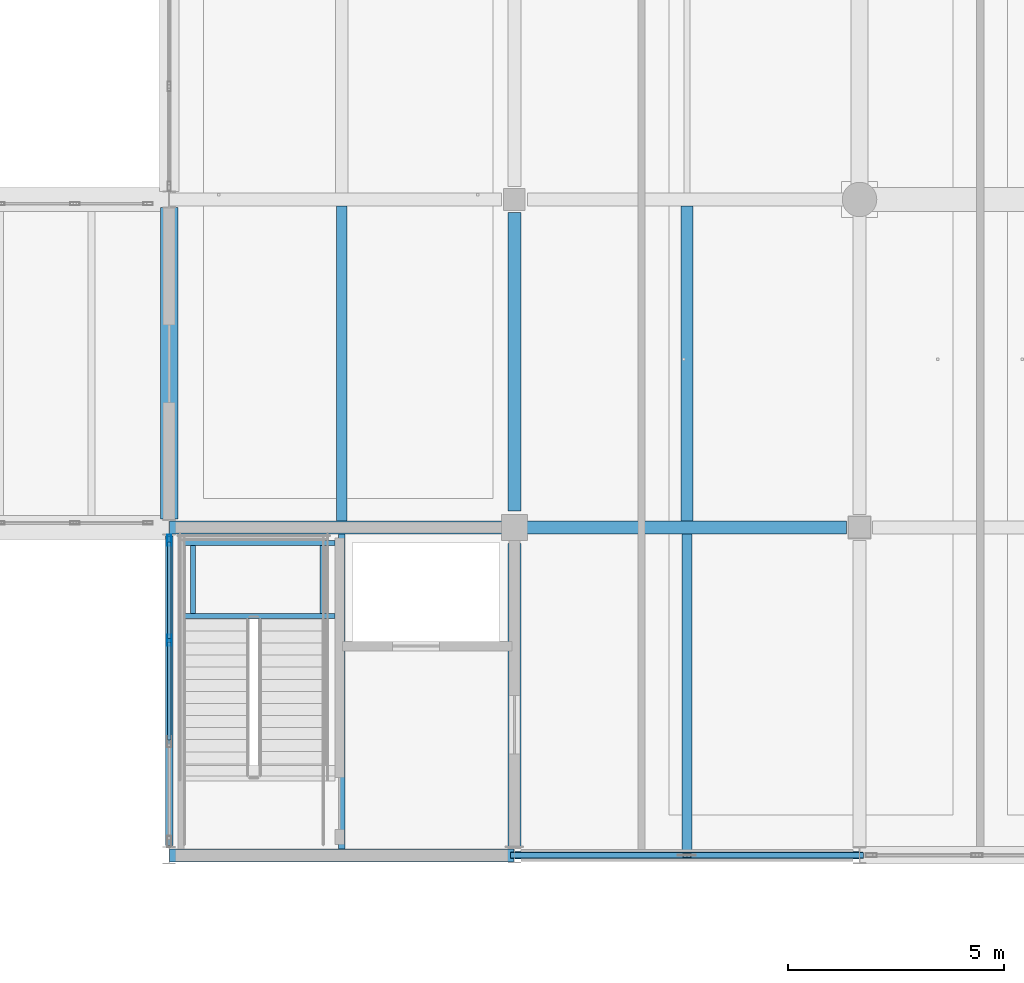
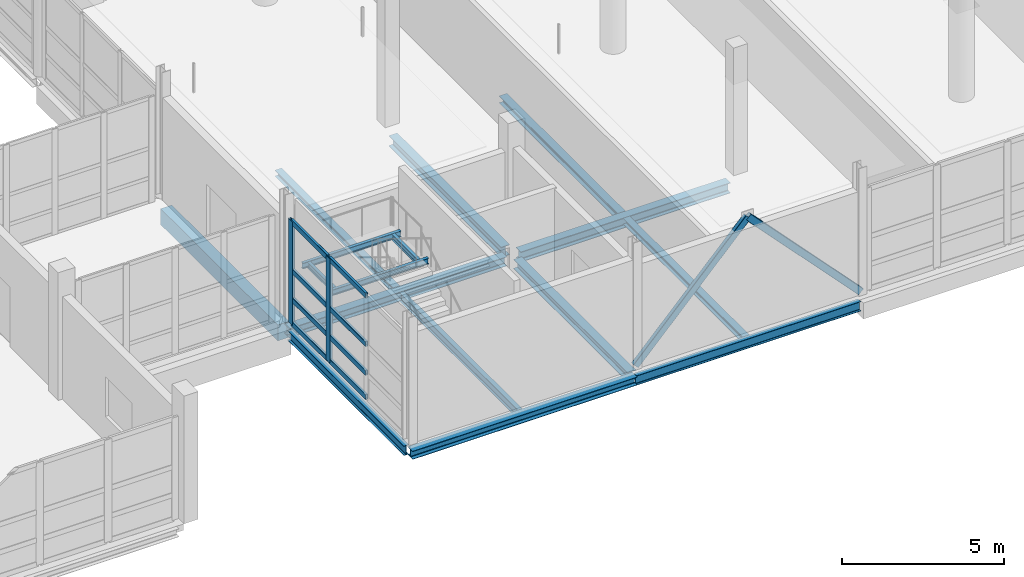
# One storey, part 40 of 147: 16 beams, 12 members, 1 element without a shape of its own.
"""IFC4 building model written with IfcOpenShell, lengths in metres."""

from ifc_helpers import new_model, si_unit, direction, frame, origin, origin_2d, place, context, subcontext, project, spatial, rectangle, hollow_rectangle, i_section, extrude, material, material_profile, profile_set, type_object, element, aggregate, save


model = new_model("IFC4")

# Units and contexts
model_context = context("Model", 3, precision=1e-05, world=origin(), true_north=direction((0.0, 1.0)))
body_context = subcontext(model_context, "Body", "Model", "MODEL_VIEW")
ifc_project = project(units=[si_unit("LENGTHUNIT", "METRE"), si_unit("AREAUNIT", "SQUARE_METRE"), si_unit("VOLUMEUNIT", "CUBIC_METRE"), si_unit("PLANEANGLEUNIT", "RADIAN"), si_unit("MASSUNIT", "GRAM", prefix="KILO")], contexts=[model_context])

# Site, building, storey
site_placement = place(None, origin())
site = spatial("IfcSite", under=ifc_project, at=site_placement, CompositionType="ELEMENT")
building_placement = place(site_placement, origin())
building = spatial("IfcBuilding", under=site, at=building_placement, Name="Khelvaren Railside Concert Hall", CompositionType="ELEMENT")
storey_placement = place(building_placement, frame((0.0, 0.0, 5.39990234375)))
storey = spatial("IfcBuildingStorey", under=building, at=storey_placement, Name="L01", CompositionType="ELEMENT", Elevation=5.39990234375)

# Beams
ifc_material_1 = material(Name="Steel S355", Category="steel")
ifc_material_profile_1 = material_profile(ifc_material_1, i_section(OverallWidth=0.300048828125, OverallDepth=0.389892578125, WebThickness=0.010986328125, FlangeThickness=0.01904296875, FilletRadius=0.027099609375, at=origin_2d()), Name="HEA 400")
ifc_profile_set_1 = profile_set([ifc_material_profile_1], Name="Steel S355")
beam_type_1 = type_object("IfcBeamType", Name="BM23", PredefinedType="BEAM", material=ifc_profile_set_1)
beam_1_placement = place(storey_placement, frame((152.25, 7.60009765625, -0.494873046875), z_axis=(1.0, 0.0, 0.0), x_axis=(0.0, 1.0, 0.0)))
element("IfcBeam", 1, at=beam_1_placement, inside=storey, type_object=beam_type_1, Name="V2 L01 Beam X2.2", PredefinedType="BEAM", context=body_context, shape_type="SweptSolid", body=[
    extrude(i_section(OverallWidth=0.300048828125, OverallDepth=0.389892578125, WebThickness=0.010986328125, FlangeThickness=0.01904296875, FilletRadius=0.027099609375, at=origin_2d()), origin(), (0.0, 0.0, 1.0), 7.449951171875),
])
beam_2_placement = place(storey_placement, frame((152.0, 7.97509765625, -0.494873046875), z_axis=(0.0, 1.0, 0.0), x_axis=(-1.0, 0.0, 0.0)))
element("IfcBeam", 2, at=beam_2_placement, inside=storey, type_object=beam_type_1, Name="V2 L01 Beam Y2.2", PredefinedType="BEAM", context=body_context, shape_type="SweptSolid", body=[
    extrude(i_section(OverallWidth=0.300048828125, OverallDepth=0.389892578125, WebThickness=0.010986328125, FlangeThickness=0.01904296875, FilletRadius=0.027099609375, at=origin_2d()), origin(), (0.0, 0.0, 1.0), 6.9248046875),
])
ifc_material_profile_2 = material_profile(ifc_material_1, i_section(OverallWidth=0.300048828125, OverallDepth=0.35009765625, WebThickness=0.010009765625, FlangeThickness=0.017578125, FilletRadius=0.027099609375, at=origin_2d()), Name="HEA 360")
ifc_profile_set_2 = profile_set([ifc_material_profile_2], Name="Steel S355")
beam_type_2 = type_object("IfcBeamType", Name="BM73", PredefinedType="BEAM", material=ifc_profile_set_2)
beam_3_placement = place(storey_placement, frame((144.010009765625, 7.60009765625, -0.474853515625), z_axis=(1.0, 0.0, 0.0), x_axis=(0.0, 1.0, 0.0)))
element("IfcBeam", 3, at=beam_3_placement, inside=storey, type_object=beam_type_2, Name="V2 L01 Beam X2.1", PredefinedType="BEAM", context=body_context, shape_type="SweptSolid", body=[
    extrude(i_section(OverallWidth=0.300048828125, OverallDepth=0.35009765625, WebThickness=0.010009765625, FlangeThickness=0.017578125, FilletRadius=0.027099609375, at=origin_2d()), origin(), (0.0, 0.0, 1.0), 7.739990234375),
])
beam_4_placement = place(storey_placement, frame((152.0, 0.199951171875, -0.474853515625), z_axis=(0.0, 1.0, 0.0), x_axis=(-1.0, 0.0, 0.0)))
element("IfcBeam", 4, at=beam_4_placement, inside=storey, type_object=beam_type_2, Name="V2 L01 Beam Y2.1", PredefinedType="BEAM", context=body_context, shape_type="SweptSolid", body=[
    extrude(i_section(OverallWidth=0.300048828125, OverallDepth=0.35009765625, WebThickness=0.010009765625, FlangeThickness=0.017578125, FilletRadius=0.027099609375, at=origin_2d()), origin(), (0.0, 0.0, 1.0), 7.025146484375),
])
ifc_material_profile_3 = material_profile(ifc_material_1, i_section(OverallWidth=0.110107421875, OverallDepth=0.219970703125, WebThickness=0.005859375, FlangeThickness=0.00927734375, FilletRadius=0.011962890625, at=origin_2d()), Name="IPE 220")
ifc_profile_set_3 = profile_set([ifc_material_profile_3], Name="Steel S355")
beam_type_3 = type_object("IfcBeamType", Name="BM87", PredefinedType="BEAM", material=ifc_profile_set_3)
for number, where, z_axis, x_axis, name in (
    (5, (144.344970703125, 5.544921875, 2.090087890625), (1.0, 0.0, 0.0), (0.0, 1.0, 0.0), "ST-03 L01 Half-Landing Front Beam"),
    (6, (144.344970703125, 7.239990234375, 2.090087890625), (1.0, 0.0, 0.0), (0.0, 1.0, 0.0), "ST-03 L01 Half-Landing Rear Beam"),
):
    element("IfcBeam", number, at=place(storey_placement, frame(where, z_axis=z_axis, x_axis=x_axis)), inside=storey, type_object=beam_type_3, Name=name, PredefinedType="BEAM", context=body_context, shape_type="SweptSolid", body=[
        extrude(i_section(OverallWidth=0.110107421875, OverallDepth=0.219970703125, WebThickness=0.005859375, FlangeThickness=0.00927734375, FilletRadius=0.011962890625, at=origin_2d()), origin(), (0.0, 0.0, 1.0), 3.4951171875),
    ])
for number, where, z_axis, x_axis, name in (
    (7, (144.550048828125, 5.60009765625, 2.090087890625), (0.0, 1.0, 0.0), (-1.0, 0.0, 0.0), "ST-03 L01 Half-Landing Side Tie W"),
    (8, (147.550048828125, 5.60009765625, 2.090087890625), (0.0, 1.0, 0.0), (-1.0, 0.0, 0.0), "ST-03 L01 Half-Landing Side Tie E"),
):
    element("IfcBeam", number, at=place(storey_placement, frame(where, z_axis=z_axis, x_axis=x_axis)), inside=storey, type_object=beam_type_3, Name=name, PredefinedType="BEAM", context=body_context, shape_type="SweptSolid", body=[
        extrude(i_section(OverallWidth=0.110107421875, OverallDepth=0.219970703125, WebThickness=0.005859375, FlangeThickness=0.00927734375, FilletRadius=0.011962890625, at=origin_2d()), origin(), (0.0, 0.0, 1.0), 1.5849609375),
    ])

# Members
ifc_material_profile_4 = material_profile(ifc_material_1, hollow_rectangle(XDim=0.14990234375, YDim=0.25, WallThickness=0.012451171875, InnerFilletRadius=0.012451171875, OuterFilletRadius=0.01904296875, at=origin_2d()), Name="RHS 250x150x12.5")
ifc_profile_set_4 = profile_set([ifc_material_profile_4], Name="Steel S355")
member_type_1 = type_object("IfcMemberType", Name="BR52", PredefinedType="BRACE", material=ifc_profile_set_4)
for number, where, z_axis, x_axis, name in (
    (9, (152.0, 0.0, 0.050048828125), (0.688798075334, 0.0, 0.724953247745), (0.0, 1.0, 0.0), "V2 L01 Seismic Chevron Brace 51"),
    (10, (160.0, 0.0, 0.050048828125), (-0.688798075334, 0.0, 0.724953247745), (0.0, -1.0, 0.0), "V2 L01 Seismic Chevron Brace 52"),
):
    element("IfcMember", number, at=place(storey_placement, frame(where, z_axis=z_axis, x_axis=x_axis)), inside=storey, type_object=member_type_1, Name=name, PredefinedType="BRACE", context=body_context, shape_type="SweptSolid", body=[
        extrude(hollow_rectangle(XDim=0.14990234375, YDim=0.25, WallThickness=0.012451171875, InnerFilletRadius=0.012451171875, OuterFilletRadius=0.01904296875, at=origin_2d()), origin(), (0.0, 0.0, 1.0), 5.80712890625),
    ])

# Curtain wall, members
ifc_material_2 = material(Name="Acoustic laminated crystal facade glass", Category="glass")
curtain_wall_type = type_object("IfcCurtainWallType", Name="CW54", PredefinedType="USERDEFINED", material=ifc_material_2)
curtain_wall_placement = place(storey_placement, origin())
curtain_wall = element("IfcCurtainWall", 11, at=curtain_wall_placement, inside=storey, type_object=curtain_wall_type, Name="Unitised Curtain Wall CW-V2-L01-W-0", ObjectType="UNITISED CURTAIN WALL", PredefinedType="USERDEFINED")
ifc_material_3 = material(Name="Anodised architectural aluminium 6063-T6", Category="aluminium")
ifc_material_profile_5 = material_profile(ifc_material_3, hollow_rectangle(XDim=0.0849609375, YDim=0.260009765625, WallThickness=0.0048828125, InnerFilletRadius=0.0029296875, OuterFilletRadius=0.0048828125, at=origin_2d()), Name="CWM 85x260x5")
ifc_profile_set_5 = profile_set([ifc_material_profile_5], Name="Anodised architectural aluminium 6063-T6")
member_type_2 = type_object("IfcMemberType", Name="CWM40", PredefinedType="MULLION", material=ifc_profile_set_5)
member_1_placement = place(storey_placement, frame((144.0, 4.987548828125, 0.0), z_axis=(0.0, 0.0, 1.0), x_axis=(-1.0, 0.0, 0.0)))
member_1 = element("IfcMember", 12, at=member_1_placement, type_object=member_type_2, Name="CW54 mullion 3", PredefinedType="MULLION", context=body_context, shape_type="SweptSolid", body=[
    extrude(hollow_rectangle(XDim=0.0849609375, YDim=0.260009765625, WallThickness=0.0048828125, InnerFilletRadius=0.0029296875, OuterFilletRadius=0.0048828125, at=origin_2d()), origin(), (0.0, 0.0, 1.0), 3.900146484375),
])
member_2_placement = place(storey_placement, frame((144.0, 7.300048828125, 0.0), z_axis=(0.0, 0.0, 1.0), x_axis=(-1.0, 0.0, 0.0)))
member_2 = element("IfcMember", 13, at=member_2_placement, type_object=member_type_2, Name="CW54 mullion 4", PredefinedType="MULLION", context=body_context, shape_type="SweptSolid", body=[
    extrude(hollow_rectangle(XDim=0.0849609375, YDim=0.260009765625, WallThickness=0.0048828125, InnerFilletRadius=0.0029296875, OuterFilletRadius=0.0048828125, at=origin_2d()), origin(), (0.0, 0.0, 1.0), 3.900146484375),
])
ifc_material_profile_6 = material_profile(ifc_material_3, hollow_rectangle(XDim=0.0849609375, YDim=0.18994140625, WallThickness=0.0048828125, InnerFilletRadius=0.0029296875, OuterFilletRadius=0.0048828125, at=origin_2d()), Name="CWT 85x190x5")
ifc_profile_set_6 = profile_set([ifc_material_profile_6], Name="Anodised architectural aluminium 6063-T6")
member_type_3 = type_object("IfcMemberType", Name="CWT31", PredefinedType="USERDEFINED", material=ifc_profile_set_6)
member_3_placement = place(storey_placement, frame((144.0, 2.675048828125, 0.04248046875), z_axis=(0.0, 1.0, 0.0), x_axis=(-1.0, 0.0, 0.0)))
member_3 = element("IfcMember", 14, at=member_3_placement, type_object=member_type_3, Name="CW54 transom 2.1", ObjectType="TRANSOM", PredefinedType="USERDEFINED", context=body_context, shape_type="SweptSolid", body=[
    extrude(hollow_rectangle(XDim=0.0849609375, YDim=0.18994140625, WallThickness=0.0048828125, InnerFilletRadius=0.0029296875, OuterFilletRadius=0.0048828125, at=origin_2d()), origin(), (0.0, 0.0, 1.0), 2.27001953125),
])
member_4_placement = place(storey_placement, frame((144.0, 2.675048828125, 0.9501953125), z_axis=(0.0, 1.0, 0.0), x_axis=(-1.0, 0.0, 0.0)))
member_4 = element("IfcMember", 15, at=member_4_placement, type_object=member_type_3, Name="CW54 transom 2.2", ObjectType="TRANSOM", PredefinedType="USERDEFINED", context=body_context, shape_type="SweptSolid", body=[
    extrude(hollow_rectangle(XDim=0.0849609375, YDim=0.18994140625, WallThickness=0.0048828125, InnerFilletRadius=0.0029296875, OuterFilletRadius=0.0048828125, at=origin_2d()), origin(), (0.0, 0.0, 1.0), 2.27001953125),
])
member_5_placement = place(storey_placement, frame((144.0, 2.675048828125, 2.028076171875), z_axis=(0.0, 1.0, 0.0), x_axis=(-1.0, 0.0, 0.0)))
member_5 = element("IfcMember", 16, at=member_5_placement, type_object=member_type_3, Name="CW54 transom 2.3", ObjectType="TRANSOM", PredefinedType="USERDEFINED", context=body_context, shape_type="SweptSolid", body=[
    extrude(hollow_rectangle(XDim=0.0849609375, YDim=0.18994140625, WallThickness=0.0048828125, InnerFilletRadius=0.0029296875, OuterFilletRadius=0.0048828125, at=origin_2d()), origin(), (0.0, 0.0, 1.0), 2.27001953125),
])
member_6_placement = place(storey_placement, frame((144.0, 2.675048828125, 3.857666015625), z_axis=(0.0, 1.0, 0.0), x_axis=(-1.0, 0.0, 0.0)))
member_6 = element("IfcMember", 17, at=member_6_placement, type_object=member_type_3, Name="CW54 transom 2.4", ObjectType="TRANSOM", PredefinedType="USERDEFINED", context=body_context, shape_type="SweptSolid", body=[
    extrude(hollow_rectangle(XDim=0.0849609375, YDim=0.18994140625, WallThickness=0.0048828125, InnerFilletRadius=0.0029296875, OuterFilletRadius=0.0048828125, at=origin_2d()), origin(), (0.0, 0.0, 1.0), 2.27001953125),
])
member_7_placement = place(storey_placement, frame((144.0, 5.030029296875, 0.04248046875), z_axis=(0.0, 1.0, 0.0), x_axis=(-1.0, 0.0, 0.0)))
member_7 = element("IfcMember", 18, at=member_7_placement, type_object=member_type_3, Name="CW54 transom 3.1", ObjectType="TRANSOM", PredefinedType="USERDEFINED", context=body_context, shape_type="SweptSolid", body=[
    extrude(hollow_rectangle(XDim=0.0849609375, YDim=0.18994140625, WallThickness=0.0048828125, InnerFilletRadius=0.0029296875, OuterFilletRadius=0.0048828125, at=origin_2d()), origin(), (0.0, 0.0, 1.0), 2.2275390625),
])
member_8_placement = place(storey_placement, frame((144.0, 5.030029296875, 0.9501953125), z_axis=(0.0, 1.0, 0.0), x_axis=(-1.0, 0.0, 0.0)))
member_8 = element("IfcMember", 19, at=member_8_placement, type_object=member_type_3, Name="CW54 transom 3.2", ObjectType="TRANSOM", PredefinedType="USERDEFINED", context=body_context, shape_type="SweptSolid", body=[
    extrude(hollow_rectangle(XDim=0.0849609375, YDim=0.18994140625, WallThickness=0.0048828125, InnerFilletRadius=0.0029296875, OuterFilletRadius=0.0048828125, at=origin_2d()), origin(), (0.0, 0.0, 1.0), 2.2275390625),
])
member_9_placement = place(storey_placement, frame((144.0, 5.030029296875, 2.028076171875), z_axis=(0.0, 1.0, 0.0), x_axis=(-1.0, 0.0, 0.0)))
member_9 = element("IfcMember", 20, at=member_9_placement, type_object=member_type_3, Name="CW54 transom 3.3", ObjectType="TRANSOM", PredefinedType="USERDEFINED", context=body_context, shape_type="SweptSolid", body=[
    extrude(hollow_rectangle(XDim=0.0849609375, YDim=0.18994140625, WallThickness=0.0048828125, InnerFilletRadius=0.0029296875, OuterFilletRadius=0.0048828125, at=origin_2d()), origin(), (0.0, 0.0, 1.0), 2.2275390625),
])
member_10_placement = place(storey_placement, frame((144.0, 5.030029296875, 3.857666015625), z_axis=(0.0, 1.0, 0.0), x_axis=(-1.0, 0.0, 0.0)))
member_10 = element("IfcMember", 21, at=member_10_placement, type_object=member_type_3, Name="CW54 transom 3.4", ObjectType="TRANSOM", PredefinedType="USERDEFINED", context=body_context, shape_type="SweptSolid", body=[
    extrude(hollow_rectangle(XDim=0.0849609375, YDim=0.18994140625, WallThickness=0.0048828125, InnerFilletRadius=0.0029296875, OuterFilletRadius=0.0048828125, at=origin_2d()), origin(), (0.0, 0.0, 1.0), 2.2275390625),
])
aggregate(curtain_wall, [member_1, member_2, member_3, member_4, member_5, member_6, member_7, member_8, member_9, member_10])

# Beams
ifc_material_profile_7 = material_profile(ifc_material_1, i_section(OverallWidth=0.280029296875, OverallDepth=0.27001953125, WebThickness=0.008056640625, FlangeThickness=0.012939453125, FilletRadius=0.02392578125, at=origin_2d()), Name="HEA 280")
ifc_profile_set_7 = profile_set([ifc_material_profile_7], Name="Steel S355")
beam_type_4 = type_object("IfcBeamType", Name="JS46", PredefinedType="JOIST", material=ifc_profile_set_7)
beam_5_placement = place(storey_placement, frame((156.0, 7.75, -0.434814453125), z_axis=(0.0, 1.0, 0.0), x_axis=(-1.0, 0.0, 0.0)))
element("IfcBeam", 22, at=beam_5_placement, inside=storey, type_object=beam_type_4, Name="V2 L01 Secondary Joist 2.2", PredefinedType="JOIST", context=body_context, shape_type="SweptSolid", body=[
    extrude(i_section(OverallWidth=0.280029296875, OverallDepth=0.27001953125, WebThickness=0.008056640625, FlangeThickness=0.012939453125, FilletRadius=0.02392578125, at=origin_2d()), origin(), (0.0, 0.0, 1.0), 7.300048828125),
])
ifc_material_profile_8 = material_profile(ifc_material_1, i_section(OverallWidth=0.159912109375, OverallDepth=0.330078125, WebThickness=0.007568359375, FlangeThickness=0.011474609375, FilletRadius=0.01806640625, at=origin_2d()), Name="IPE 330")
ifc_profile_set_8 = profile_set([ifc_material_profile_8], Name="Steel S355")
beam_type_5 = type_object("IfcBeamType", Name="JS65", PredefinedType="JOIST", material=ifc_profile_set_8)
beam_6_placement = place(storey_placement, frame((148.0, 0.14990234375, -0.46484375), z_axis=(0.0, 1.0, 0.0), x_axis=(-1.0, 0.0, 0.0)))
element("IfcBeam", 23, at=beam_6_placement, inside=storey, type_object=beam_type_5, Name="V2 L01 Secondary Joist 1.1", PredefinedType="JOIST", context=body_context, shape_type="SweptSolid", body=[
    extrude(i_section(OverallWidth=0.159912109375, OverallDepth=0.330078125, WebThickness=0.007568359375, FlangeThickness=0.011474609375, FilletRadius=0.01806640625, at=origin_2d()), origin(), (0.0, 0.0, 1.0), 7.300048828125),
])
ifc_material_profile_9 = material_profile(ifc_material_1, i_section(OverallWidth=0.239990234375, OverallDepth=0.22998046875, WebThickness=0.007568359375, FlangeThickness=0.011962890625, FilletRadius=0.02099609375, at=origin_2d()), Name="HEA 240")
ifc_profile_set_9 = profile_set([ifc_material_profile_9], Name="Steel S355")
beam_type_6 = type_object("IfcBeamType", Name="JS76", PredefinedType="JOIST", material=ifc_profile_set_9)
beam_7_placement = place(storey_placement, frame((148.0, 7.75, -0.414794921875), z_axis=(0.0, 1.0, 0.0), x_axis=(-1.0, 0.0, 0.0)))
element("IfcBeam", 24, at=beam_7_placement, inside=storey, type_object=beam_type_6, Name="V2 L01 Secondary Joist 1.2", PredefinedType="JOIST", context=body_context, shape_type="SweptSolid", body=[
    extrude(i_section(OverallWidth=0.239990234375, OverallDepth=0.22998046875, WebThickness=0.007568359375, FlangeThickness=0.011962890625, FilletRadius=0.02099609375, at=origin_2d()), origin(), (0.0, 0.0, 1.0), 7.300048828125),
])
beam_8_placement = place(storey_placement, frame((156.0, 0.0849609375, -0.414794921875), z_axis=(0.0, 1.0, 0.0), x_axis=(-1.0, 0.0, 0.0)))
element("IfcBeam", 25, at=beam_8_placement, inside=storey, type_object=beam_type_6, Name="V2 L01 Secondary Joist 2.1", PredefinedType="JOIST", context=body_context, shape_type="SweptSolid", body=[
    extrude(i_section(OverallWidth=0.239990234375, OverallDepth=0.22998046875, WebThickness=0.007568359375, FlangeThickness=0.011962890625, FilletRadius=0.02099609375, at=origin_2d()), origin(), (0.0, 0.0, 1.0), 7.364990234375),
])
ifc_material_profile_10 = material_profile(ifc_material_1, i_section(OverallWidth=0.300048828125, OverallDepth=0.31005859375, WebThickness=0.009033203125, FlangeThickness=0.015380859375, FilletRadius=0.027099609375, at=origin_2d()), Name="HEA 320")
ifc_profile_set_10 = profile_set([ifc_material_profile_10], Name="Steel S355")
beam_type_7 = type_object("IfcBeamType", Name="SP66", PredefinedType="SPANDREL", material=ifc_profile_set_10)
beam_9_placement = place(storey_placement, frame((144.010009765625, 0.0, -0.454833984375), z_axis=(1.0, 0.0, 0.0), x_axis=(0.0, 1.0, 0.0)))
element("IfcBeam", 26, at=beam_9_placement, inside=storey, type_object=beam_type_7, Name="V2 L01 Spandrel X1.1", PredefinedType="SPANDREL", context=body_context, shape_type="SweptSolid", body=[
    extrude(i_section(OverallWidth=0.300048828125, OverallDepth=0.31005859375, WebThickness=0.009033203125, FlangeThickness=0.015380859375, FilletRadius=0.027099609375, at=origin_2d()), origin(), (0.0, 0.0, 1.0), 7.97998046875),
])
ifc_material_profile_11 = material_profile(ifc_material_1, i_section(OverallWidth=0.169921875, OverallDepth=0.360107421875, WebThickness=0.008056640625, FlangeThickness=0.0126953125, FilletRadius=0.01806640625, at=origin_2d()), Name="IPE 360")
ifc_profile_set_11 = profile_set([ifc_material_profile_11], Name="Steel S355")
beam_type_8 = type_object("IfcBeamType", Name="SP74", PredefinedType="SPANDREL", material=ifc_profile_set_11)
beam_10_placement = place(storey_placement, frame((152.010009765625, 0.0, -0.47998046875), z_axis=(1.0, 0.0, 0.0), x_axis=(0.0, 1.0, 0.0)))
element("IfcBeam", 27, at=beam_10_placement, inside=storey, type_object=beam_type_8, Name="V2 L01 Spandrel X1.2", PredefinedType="SPANDREL", context=body_context, shape_type="SweptSolid", body=[
    extrude(i_section(OverallWidth=0.169921875, OverallDepth=0.360107421875, WebThickness=0.008056640625, FlangeThickness=0.0126953125, FilletRadius=0.01806640625, at=origin_2d()), origin(), (0.0, 0.0, 1.0), 7.97998046875),
])
beam_11_placement = place(storey_placement, frame((144.0, 0.22509765625, -0.47998046875), z_axis=(0.0, 1.0, 0.0), x_axis=(-1.0, 0.0, 0.0)))
element("IfcBeam", 28, at=beam_11_placement, inside=storey, type_object=beam_type_8, Name="V2 L01 Spandrel Y1.1", PredefinedType="SPANDREL", context=body_context, shape_type="SweptSolid", body=[
    extrude(i_section(OverallWidth=0.169921875, OverallDepth=0.360107421875, WebThickness=0.008056640625, FlangeThickness=0.0126953125, FilletRadius=0.01806640625, at=origin_2d()), origin(), (0.0, 0.0, 1.0), 7.1748046875),
])
ifc_material_4 = material(Name="Concrete C40/50", Category="concrete")
ifc_material_profile_12 = material_profile(ifc_material_4, rectangle(XDim=0.39990234375, YDim=0.60009765625, at=origin_2d()), Name="RCB 400x600")
ifc_profile_set_12 = profile_set([ifc_material_profile_12], Name="Concrete C40/50")
beam_type_9 = type_object("IfcBeamType", Name="SP75", PredefinedType="SPANDREL", material=ifc_profile_set_12)
beam_12_placement = place(storey_placement, frame((144.0, 7.800048828125, -0.599853515625), z_axis=(0.0, 1.0, 0.0), x_axis=(-1.0, 0.0, 0.0)))
element("IfcBeam", 29, at=beam_12_placement, inside=storey, type_object=beam_type_9, Name="V2 L01 Spandrel Y1.2", PredefinedType="SPANDREL", context=body_context, shape_type="SweptSolid", body=[
    extrude(rectangle(XDim=0.39990234375, YDim=0.60009765625, at=origin_2d()), origin(), (0.0, 0.0, 1.0), 7.219970703125),
])

save(model, "model.ifc")
